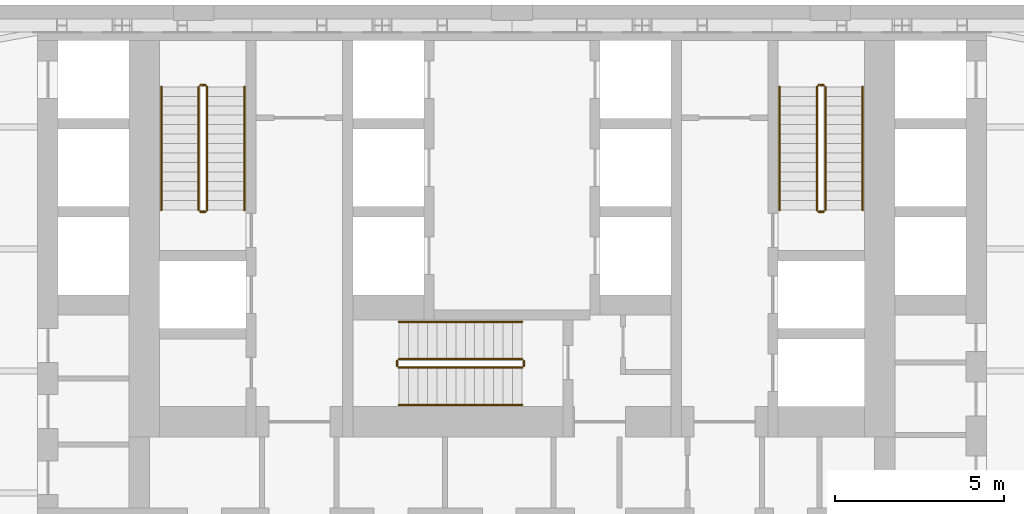
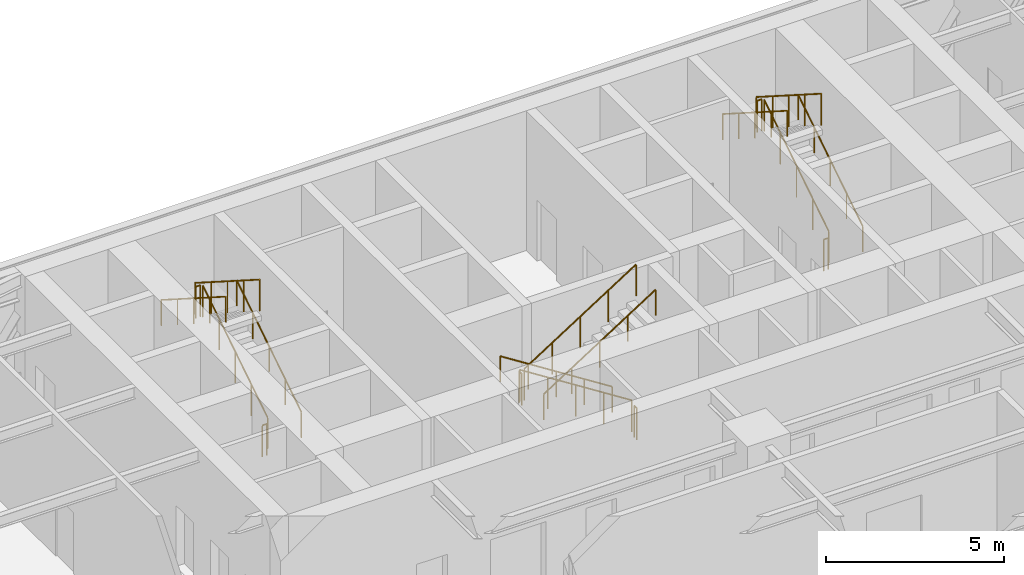
# One storey, part 24 of 25: 18 railings.
"""IFC4 building model written with IfcOpenShell, lengths in metres."""

from ifc_helpers import new_model, si_unit, direction, frame, origin, origin_2d, place, context, subcontext, project, spatial, circle, extrude, material, type_object, element, save


model = new_model("IFC4")

# Units and contexts
model_context = context("Model", 3, precision=1e-05, world=origin(), true_north=direction((0.0, 1.0)))
body_context = subcontext(model_context, "Body", "Model", "MODEL_VIEW")
ifc_project = project(units=[si_unit("LENGTHUNIT", "METRE"), si_unit("AREAUNIT", "SQUARE_METRE"), si_unit("VOLUMEUNIT", "CUBIC_METRE"), si_unit("PLANEANGLEUNIT", "RADIAN"), si_unit("MASSUNIT", "GRAM", prefix="KILO")], contexts=[model_context])

# Site, building, storey
site_placement = place(None, origin())
site = spatial("IfcSite", under=ifc_project, at=site_placement, CompositionType="ELEMENT")
building_placement = place(site_placement, origin())
building = spatial("IfcBuilding", under=site, at=building_placement, Name="Aloe Facet Convention Tower", CompositionType="ELEMENT")
storey_placement = place(building_placement, frame((0.0, 0.0, 30.0)))
storey = spatial("IfcBuildingStorey", under=building, at=storey_placement, Name="L05", CompositionType="ELEMENT", Elevation=30.0)

# Railings
ifc_material_1 = material(Name="Steel S355 balustrade", Category="steel")
railing_type_1 = type_object("IfcRailingType", Name="CR-RL-GUARD", PredefinedType="GUARDRAIL", material=ifc_material_1)
railing_1_placement = place(storey_placement, frame((71.0, 128.949951171875, 0.178466796875)))
element("IfcRailing", 1, at=railing_1_placement, inside=storey, type_object=railing_type_1, Name="L05 ST1 stair guard 1", PredefinedType="GUARDRAIL", context=body_context, shape_type="SweptSolid", body=[
    extrude(circle(Radius=0.02392578125, at=origin_2d()), frame((0.0, 0.0, 1.076171875), z_axis=(0.0, 0.843127859045, 0.537713132908), x_axis=(-1.0, 0.0, 0.0)), (0.0, 0.0, 1.0), 4.3173828125),
    extrude(circle(Radius=0.02099609375, at=origin_2d()), origin(), (0.0, 0.0, 1.0), 1.052001953125),
    extrude(circle(Radius=0.02099609375, at=origin_2d()), frame((0.0, 0.91015625, 0.580322265625)), (0.0, 0.0, 1.0), 1.052001953125),
    extrude(circle(Radius=0.02099609375, at=origin_2d()), frame((0.0, 1.820068359375, 1.16064453125)), (0.0, 0.0, 1.0), 1.052001953125),
    extrude(circle(Radius=0.02099609375, at=origin_2d()), frame((0.0, 2.72998046875, 1.7412109375)), (0.0, 0.0, 1.0), 1.052001953125),
    extrude(circle(Radius=0.02099609375, at=origin_2d()), frame((0.0, 3.64013671875, 2.321533203125)), (0.0, 0.0, 1.0), 1.052001953125),
])
railing_2_placement = place(storey_placement, frame((70.949951171875, 132.639892578125, 2.5)))
element("IfcRailing", 2, at=railing_2_placement, inside=storey, type_object=railing_type_1, Name="L05 ST1 stair guard 2", PredefinedType="GUARDRAIL", context=body_context, shape_type="SweptSolid", body=[
    extrude(circle(Radius=0.02392578125, at=origin_2d()), frame((0.0, 0.0, 1.076171875), z_axis=(-1.0, 0.0, 0.0), x_axis=(0.0, -1.0, 0.0)), (0.0, 0.0, 1.0), 0.14990234375),
    extrude(circle(Radius=0.02099609375, at=origin_2d()), origin(), (0.0, 0.0, 1.0), 1.052001953125),
    extrude(circle(Radius=0.02099609375, at=origin_2d()), frame((-0.14990234375, 0.0, 0.0)), (0.0, 0.0, 1.0), 1.052001953125),
])
railing_3_placement = place(storey_placement, frame((70.75, 132.590087890625, 2.678466796875)))
element("IfcRailing", 3, at=railing_3_placement, inside=storey, type_object=railing_type_1, Name="L05 ST1 stair guard 3", PredefinedType="GUARDRAIL", context=body_context, shape_type="SweptSolid", body=[
    extrude(circle(Radius=0.02392578125, at=origin_2d()), frame((0.0, 0.0, 1.076171875), z_axis=(0.0, -0.843127859045, 0.537713132908), x_axis=(1.0, 0.0, 0.0)), (0.0, 0.0, 1.0), 4.3173828125),
    extrude(circle(Radius=0.02099609375, at=origin_2d()), origin(), (0.0, 0.0, 1.0), 1.052001953125),
    extrude(circle(Radius=0.02099609375, at=origin_2d()), frame((0.0, -0.91015625, 0.580322265625)), (0.0, 0.0, 1.0), 1.052001953125),
    extrude(circle(Radius=0.02099609375, at=origin_2d()), frame((0.0, -1.820068359375, 1.16064453125)), (0.0, 0.0, 1.0), 1.052001953125),
    extrude(circle(Radius=0.02099609375, at=origin_2d()), frame((0.0, -2.72998046875, 1.7412109375)), (0.0, 0.0, 1.0), 1.052001953125),
    extrude(circle(Radius=0.02099609375, at=origin_2d()), frame((0.0, -3.64013671875, 2.321533203125)), (0.0, 0.0, 1.0), 1.052001953125),
])
railing_4_placement = place(storey_placement, frame((70.949951171875, 128.89990234375, 0.0)))
element("IfcRailing", 4, at=railing_4_placement, inside=storey, type_object=railing_type_1, Name="L05 ST1 stair guard 4", PredefinedType="GUARDRAIL", context=body_context, shape_type="SweptSolid", body=[
    extrude(circle(Radius=0.02392578125, at=origin_2d()), frame((0.0, 0.0, 1.076171875), z_axis=(-1.0, 0.0, 0.0), x_axis=(0.0, -1.0, 0.0)), (0.0, 0.0, 1.0), 0.14990234375),
    extrude(circle(Radius=0.02099609375, at=origin_2d()), origin(), (0.0, 0.0, 1.0), 1.052001953125),
    extrude(circle(Radius=0.02099609375, at=origin_2d()), frame((-0.14990234375, 0.0, 0.0)), (0.0, 0.0, 1.0), 1.052001953125),
])
railing_5_placement = place(storey_placement, frame((89.25, 128.949951171875, 0.178466796875)))
element("IfcRailing", 5, at=railing_5_placement, inside=storey, type_object=railing_type_1, Name="L05 ST2 stair guard 1", PredefinedType="GUARDRAIL", context=body_context, shape_type="SweptSolid", body=[
    extrude(circle(Radius=0.02392578125, at=origin_2d()), frame((0.0, 0.0, 1.076171875), z_axis=(0.0, 0.843127859045, 0.537713132908), x_axis=(-1.0, 0.0, 0.0)), (0.0, 0.0, 1.0), 4.3173828125),
    extrude(circle(Radius=0.02099609375, at=origin_2d()), origin(), (0.0, 0.0, 1.0), 1.052001953125),
    extrude(circle(Radius=0.02099609375, at=origin_2d()), frame((0.0, 0.91015625, 0.580322265625)), (0.0, 0.0, 1.0), 1.052001953125),
    extrude(circle(Radius=0.02099609375, at=origin_2d()), frame((0.0, 1.820068359375, 1.16064453125)), (0.0, 0.0, 1.0), 1.052001953125),
    extrude(circle(Radius=0.02099609375, at=origin_2d()), frame((0.0, 2.72998046875, 1.7412109375)), (0.0, 0.0, 1.0), 1.052001953125),
    extrude(circle(Radius=0.02099609375, at=origin_2d()), frame((0.0, 3.64013671875, 2.321533203125)), (0.0, 0.0, 1.0), 1.052001953125),
])
railing_6_placement = place(storey_placement, frame((89.199951171875, 132.639892578125, 2.5)))
element("IfcRailing", 6, at=railing_6_placement, inside=storey, type_object=railing_type_1, Name="L05 ST2 stair guard 2", PredefinedType="GUARDRAIL", context=body_context, shape_type="SweptSolid", body=[
    extrude(circle(Radius=0.02392578125, at=origin_2d()), frame((0.0, 0.0, 1.076171875), z_axis=(-1.0, 0.0, 0.0), x_axis=(0.0, -1.0, 0.0)), (0.0, 0.0, 1.0), 0.14990234375),
    extrude(circle(Radius=0.02099609375, at=origin_2d()), origin(), (0.0, 0.0, 1.0), 1.052001953125),
    extrude(circle(Radius=0.02099609375, at=origin_2d()), frame((-0.14990234375, 0.0, 0.0)), (0.0, 0.0, 1.0), 1.052001953125),
])
railing_7_placement = place(storey_placement, frame((89.0, 132.590087890625, 2.678466796875)))
element("IfcRailing", 7, at=railing_7_placement, inside=storey, type_object=railing_type_1, Name="L05 ST2 stair guard 3", PredefinedType="GUARDRAIL", context=body_context, shape_type="SweptSolid", body=[
    extrude(circle(Radius=0.02392578125, at=origin_2d()), frame((0.0, 0.0, 1.076171875), z_axis=(0.0, -0.843127859045, 0.537713132908), x_axis=(1.0, 0.0, 0.0)), (0.0, 0.0, 1.0), 4.3173828125),
    extrude(circle(Radius=0.02099609375, at=origin_2d()), origin(), (0.0, 0.0, 1.0), 1.052001953125),
    extrude(circle(Radius=0.02099609375, at=origin_2d()), frame((0.0, -0.91015625, 0.580322265625)), (0.0, 0.0, 1.0), 1.052001953125),
    extrude(circle(Radius=0.02099609375, at=origin_2d()), frame((0.0, -1.820068359375, 1.16064453125)), (0.0, 0.0, 1.0), 1.052001953125),
    extrude(circle(Radius=0.02099609375, at=origin_2d()), frame((0.0, -2.72998046875, 1.7412109375)), (0.0, 0.0, 1.0), 1.052001953125),
    extrude(circle(Radius=0.02099609375, at=origin_2d()), frame((0.0, -3.64013671875, 2.321533203125)), (0.0, 0.0, 1.0), 1.052001953125),
])
railing_8_placement = place(storey_placement, frame((89.199951171875, 128.89990234375, 0.0)))
element("IfcRailing", 8, at=railing_8_placement, inside=storey, type_object=railing_type_1, Name="L05 ST2 stair guard 4", PredefinedType="GUARDRAIL", context=body_context, shape_type="SweptSolid", body=[
    extrude(circle(Radius=0.02392578125, at=origin_2d()), frame((0.0, 0.0, 1.076171875), z_axis=(-1.0, 0.0, 0.0), x_axis=(0.0, -1.0, 0.0)), (0.0, 0.0, 1.0), 0.14990234375),
    extrude(circle(Radius=0.02099609375, at=origin_2d()), origin(), (0.0, 0.0, 1.0), 1.052001953125),
    extrude(circle(Radius=0.02099609375, at=origin_2d()), frame((-0.14990234375, 0.0, 0.0)), (0.0, 0.0, 1.0), 1.052001953125),
])
railing_9_placement = place(storey_placement, frame((80.300048828125, 124.550048828125, 0.178466796875)))
element("IfcRailing", 9, at=railing_9_placement, inside=storey, type_object=railing_type_1, Name="L05 ST3 stair guard 1", PredefinedType="GUARDRAIL", context=body_context, shape_type="SweptSolid", body=[
    extrude(circle(Radius=0.02392578125, at=origin_2d()), frame((0.0, 0.0, 1.076171875), z_axis=(-0.843127859045, 0.0, 0.537713132908), x_axis=(0.0, -1.0, 0.0)), (0.0, 0.0, 1.0), 4.3173828125),
    extrude(circle(Radius=0.02099609375, at=origin_2d()), origin(), (0.0, 0.0, 1.0), 1.052001953125),
    extrude(circle(Radius=0.02099609375, at=origin_2d()), frame((-0.91015625, 0.0, 0.580322265625)), (0.0, 0.0, 1.0), 1.052001953125),
    extrude(circle(Radius=0.02099609375, at=origin_2d()), frame((-1.820068359375, 0.0, 1.16064453125)), (0.0, 0.0, 1.0), 1.052001953125),
    extrude(circle(Radius=0.02099609375, at=origin_2d()), frame((-2.72998046875, 0.0, 1.7412109375)), (0.0, 0.0, 1.0), 1.052001953125),
    extrude(circle(Radius=0.02099609375, at=origin_2d()), frame((-3.64013671875, 0.0, 2.321533203125)), (0.0, 0.0, 1.0), 1.052001953125),
])
railing_10_placement = place(storey_placement, frame((76.610107421875, 124.5, 2.5)))
element("IfcRailing", 10, at=railing_10_placement, inside=storey, type_object=railing_type_1, Name="L05 ST3 stair guard 2", PredefinedType="GUARDRAIL", context=body_context, shape_type="SweptSolid", body=[
    extrude(circle(Radius=0.02392578125, at=origin_2d()), frame((0.0, 0.0, 1.076171875), z_axis=(0.0, -1.0, 0.0), x_axis=(1.0, 0.0, 0.0)), (0.0, 0.0, 1.0), 0.14990234375),
    extrude(circle(Radius=0.02099609375, at=origin_2d()), origin(), (0.0, 0.0, 1.0), 1.052001953125),
    extrude(circle(Radius=0.02099609375, at=origin_2d()), frame((0.0, -0.14990234375, 0.0)), (0.0, 0.0, 1.0), 1.052001953125),
])
railing_11_placement = place(storey_placement, frame((76.659912109375, 124.300048828125, 2.678466796875)))
element("IfcRailing", 11, at=railing_11_placement, inside=storey, type_object=railing_type_1, Name="L05 ST3 stair guard 3", PredefinedType="GUARDRAIL", context=body_context, shape_type="SweptSolid", body=[
    extrude(circle(Radius=0.02392578125, at=origin_2d()), frame((0.0, 0.0, 1.076171875), z_axis=(0.843127859045, 0.0, 0.537713132908), x_axis=(0.0, 1.0, 0.0)), (0.0, 0.0, 1.0), 4.3173828125),
    extrude(circle(Radius=0.02099609375, at=origin_2d()), origin(), (0.0, 0.0, 1.0), 1.052001953125),
    extrude(circle(Radius=0.02099609375, at=origin_2d()), frame((0.91015625, 0.0, 0.580322265625)), (0.0, 0.0, 1.0), 1.052001953125),
    extrude(circle(Radius=0.02099609375, at=origin_2d()), frame((1.820068359375, 0.0, 1.16064453125)), (0.0, 0.0, 1.0), 1.052001953125),
    extrude(circle(Radius=0.02099609375, at=origin_2d()), frame((2.72998046875, 0.0, 1.7412109375)), (0.0, 0.0, 1.0), 1.052001953125),
    extrude(circle(Radius=0.02099609375, at=origin_2d()), frame((3.64013671875, 0.0, 2.321533203125)), (0.0, 0.0, 1.0), 1.052001953125),
])
railing_12_placement = place(storey_placement, frame((80.35009765625, 124.5, 0.0)))
element("IfcRailing", 12, at=railing_12_placement, inside=storey, type_object=railing_type_1, Name="L05 ST3 stair guard 4", PredefinedType="GUARDRAIL", context=body_context, shape_type="SweptSolid", body=[
    extrude(circle(Radius=0.02392578125, at=origin_2d()), frame((0.0, 0.0, 1.076171875), z_axis=(0.0, -1.0, 0.0), x_axis=(1.0, 0.0, 0.0)), (0.0, 0.0, 1.0), 0.14990234375),
    extrude(circle(Radius=0.02099609375, at=origin_2d()), origin(), (0.0, 0.0, 1.0), 1.052001953125),
    extrude(circle(Radius=0.02099609375, at=origin_2d()), frame((0.0, -0.14990234375, 0.0)), (0.0, 0.0, 1.0), 1.052001953125),
])
ifc_material_2 = material(Name="Steel S355 handrail", Category="steel")
railing_type_2 = type_object("IfcRailingType", Name="CR-RL-HAND", PredefinedType="HANDRAIL", material=ifc_material_2)
railing_13_placement = place(storey_placement, frame((72.10009765625, 128.949951171875, 0.178466796875)))
element("IfcRailing", 13, at=railing_13_placement, inside=storey, type_object=railing_type_2, Name="L05 ST1 stair handrail 1", PredefinedType="HANDRAIL", context=body_context, shape_type="SweptSolid", body=[
    extrude(circle(Radius=0.02392578125, at=origin_2d()), frame((0.0, 0.0, 0.8759765625), z_axis=(0.0, 0.843127859045, 0.537713132908), x_axis=(-1.0, 0.0, 0.0)), (0.0, 0.0, 1.0), 4.3173828125),
    extrude(circle(Radius=0.02099609375, at=origin_2d()), origin(), (0.0, 0.0, 1.0), 0.851806640625),
    extrude(circle(Radius=0.02099609375, at=origin_2d()), frame((0.0, 0.91015625, 0.580322265625)), (0.0, 0.0, 1.0), 0.851806640625),
    extrude(circle(Radius=0.02099609375, at=origin_2d()), frame((0.0, 1.820068359375, 1.16064453125)), (0.0, 0.0, 1.0), 0.851806640625),
    extrude(circle(Radius=0.02099609375, at=origin_2d()), frame((0.0, 2.72998046875, 1.7412109375)), (0.0, 0.0, 1.0), 0.851806640625),
    extrude(circle(Radius=0.02099609375, at=origin_2d()), frame((0.0, 3.64013671875, 2.321533203125)), (0.0, 0.0, 1.0), 0.851806640625),
])
railing_14_placement = place(storey_placement, frame((69.64990234375, 132.590087890625, 2.678466796875)))
element("IfcRailing", 14, at=railing_14_placement, inside=storey, type_object=railing_type_2, Name="L05 ST1 stair handrail 2", PredefinedType="HANDRAIL", context=body_context, shape_type="SweptSolid", body=[
    extrude(circle(Radius=0.02392578125, at=origin_2d()), frame((0.0, 0.0, 0.8759765625), z_axis=(0.0, -0.843127859045, 0.537713132908), x_axis=(1.0, 0.0, 0.0)), (0.0, 0.0, 1.0), 4.3173828125),
    extrude(circle(Radius=0.02099609375, at=origin_2d()), origin(), (0.0, 0.0, 1.0), 0.851806640625),
    extrude(circle(Radius=0.02099609375, at=origin_2d()), frame((0.0, -0.91015625, 0.580322265625)), (0.0, 0.0, 1.0), 0.851806640625),
    extrude(circle(Radius=0.02099609375, at=origin_2d()), frame((0.0, -1.820068359375, 1.16064453125)), (0.0, 0.0, 1.0), 0.851806640625),
    extrude(circle(Radius=0.02099609375, at=origin_2d()), frame((0.0, -2.72998046875, 1.7412109375)), (0.0, 0.0, 1.0), 0.851806640625),
    extrude(circle(Radius=0.02099609375, at=origin_2d()), frame((0.0, -3.64013671875, 2.321533203125)), (0.0, 0.0, 1.0), 0.851806640625),
])
railing_15_placement = place(storey_placement, frame((90.35009765625, 128.949951171875, 0.178466796875)))
element("IfcRailing", 15, at=railing_15_placement, inside=storey, type_object=railing_type_2, Name="L05 ST2 stair handrail 1", PredefinedType="HANDRAIL", context=body_context, shape_type="SweptSolid", body=[
    extrude(circle(Radius=0.02392578125, at=origin_2d()), frame((0.0, 0.0, 0.8759765625), z_axis=(0.0, 0.843127859045, 0.537713132908), x_axis=(-1.0, 0.0, 0.0)), (0.0, 0.0, 1.0), 4.3173828125),
    extrude(circle(Radius=0.02099609375, at=origin_2d()), origin(), (0.0, 0.0, 1.0), 0.851806640625),
    extrude(circle(Radius=0.02099609375, at=origin_2d()), frame((0.0, 0.91015625, 0.580322265625)), (0.0, 0.0, 1.0), 0.851806640625),
    extrude(circle(Radius=0.02099609375, at=origin_2d()), frame((0.0, 1.820068359375, 1.16064453125)), (0.0, 0.0, 1.0), 0.851806640625),
    extrude(circle(Radius=0.02099609375, at=origin_2d()), frame((0.0, 2.72998046875, 1.7412109375)), (0.0, 0.0, 1.0), 0.851806640625),
    extrude(circle(Radius=0.02099609375, at=origin_2d()), frame((0.0, 3.64013671875, 2.321533203125)), (0.0, 0.0, 1.0), 0.851806640625),
])
railing_16_placement = place(storey_placement, frame((87.89990234375, 132.590087890625, 2.678466796875)))
element("IfcRailing", 16, at=railing_16_placement, inside=storey, type_object=railing_type_2, Name="L05 ST2 stair handrail 2", PredefinedType="HANDRAIL", context=body_context, shape_type="SweptSolid", body=[
    extrude(circle(Radius=0.02392578125, at=origin_2d()), frame((0.0, 0.0, 0.8759765625), z_axis=(0.0, -0.843127859045, 0.537713132908), x_axis=(1.0, 0.0, 0.0)), (0.0, 0.0, 1.0), 4.3173828125),
    extrude(circle(Radius=0.02099609375, at=origin_2d()), origin(), (0.0, 0.0, 1.0), 0.851806640625),
    extrude(circle(Radius=0.02099609375, at=origin_2d()), frame((0.0, -0.91015625, 0.580322265625)), (0.0, 0.0, 1.0), 0.851806640625),
    extrude(circle(Radius=0.02099609375, at=origin_2d()), frame((0.0, -1.820068359375, 1.16064453125)), (0.0, 0.0, 1.0), 0.851806640625),
    extrude(circle(Radius=0.02099609375, at=origin_2d()), frame((0.0, -2.72998046875, 1.7412109375)), (0.0, 0.0, 1.0), 0.851806640625),
    extrude(circle(Radius=0.02099609375, at=origin_2d()), frame((0.0, -3.64013671875, 2.321533203125)), (0.0, 0.0, 1.0), 0.851806640625),
])
railing_17_placement = place(storey_placement, frame((80.300048828125, 125.64990234375, 0.178466796875)))
element("IfcRailing", 17, at=railing_17_placement, inside=storey, type_object=railing_type_2, Name="L05 ST3 stair handrail 1", PredefinedType="HANDRAIL", context=body_context, shape_type="SweptSolid", body=[
    extrude(circle(Radius=0.02392578125, at=origin_2d()), frame((0.0, 0.0, 0.8759765625), z_axis=(-0.843127859045, 0.0, 0.537713132908), x_axis=(0.0, -1.0, 0.0)), (0.0, 0.0, 1.0), 4.3173828125),
    extrude(circle(Radius=0.02099609375, at=origin_2d()), origin(), (0.0, 0.0, 1.0), 0.851806640625),
    extrude(circle(Radius=0.02099609375, at=origin_2d()), frame((-0.91015625, 0.0, 0.580322265625)), (0.0, 0.0, 1.0), 0.851806640625),
    extrude(circle(Radius=0.02099609375, at=origin_2d()), frame((-1.820068359375, 0.0, 1.16064453125)), (0.0, 0.0, 1.0), 0.851806640625),
    extrude(circle(Radius=0.02099609375, at=origin_2d()), frame((-2.72998046875, 0.0, 1.7412109375)), (0.0, 0.0, 1.0), 0.851806640625),
    extrude(circle(Radius=0.02099609375, at=origin_2d()), frame((-3.64013671875, 0.0, 2.321533203125)), (0.0, 0.0, 1.0), 0.851806640625),
])
railing_18_placement = place(storey_placement, frame((76.659912109375, 123.199951171875, 2.678466796875)))
element("IfcRailing", 18, at=railing_18_placement, inside=storey, type_object=railing_type_2, Name="L05 ST3 stair handrail 2", PredefinedType="HANDRAIL", context=body_context, shape_type="SweptSolid", body=[
    extrude(circle(Radius=0.02392578125, at=origin_2d()), frame((0.0, 0.0, 0.8759765625), z_axis=(0.843127859045, 0.0, 0.537713132908), x_axis=(0.0, 1.0, 0.0)), (0.0, 0.0, 1.0), 4.3173828125),
    extrude(circle(Radius=0.02099609375, at=origin_2d()), origin(), (0.0, 0.0, 1.0), 0.851806640625),
    extrude(circle(Radius=0.02099609375, at=origin_2d()), frame((0.91015625, 0.0, 0.580322265625)), (0.0, 0.0, 1.0), 0.851806640625),
    extrude(circle(Radius=0.02099609375, at=origin_2d()), frame((1.820068359375, 0.0, 1.16064453125)), (0.0, 0.0, 1.0), 0.851806640625),
    extrude(circle(Radius=0.02099609375, at=origin_2d()), frame((2.72998046875, 0.0, 1.7412109375)), (0.0, 0.0, 1.0), 0.851806640625),
    extrude(circle(Radius=0.02099609375, at=origin_2d()), frame((3.64013671875, 0.0, 2.321533203125)), (0.0, 0.0, 1.0), 0.851806640625),
])

save(model, "model.ifc")
